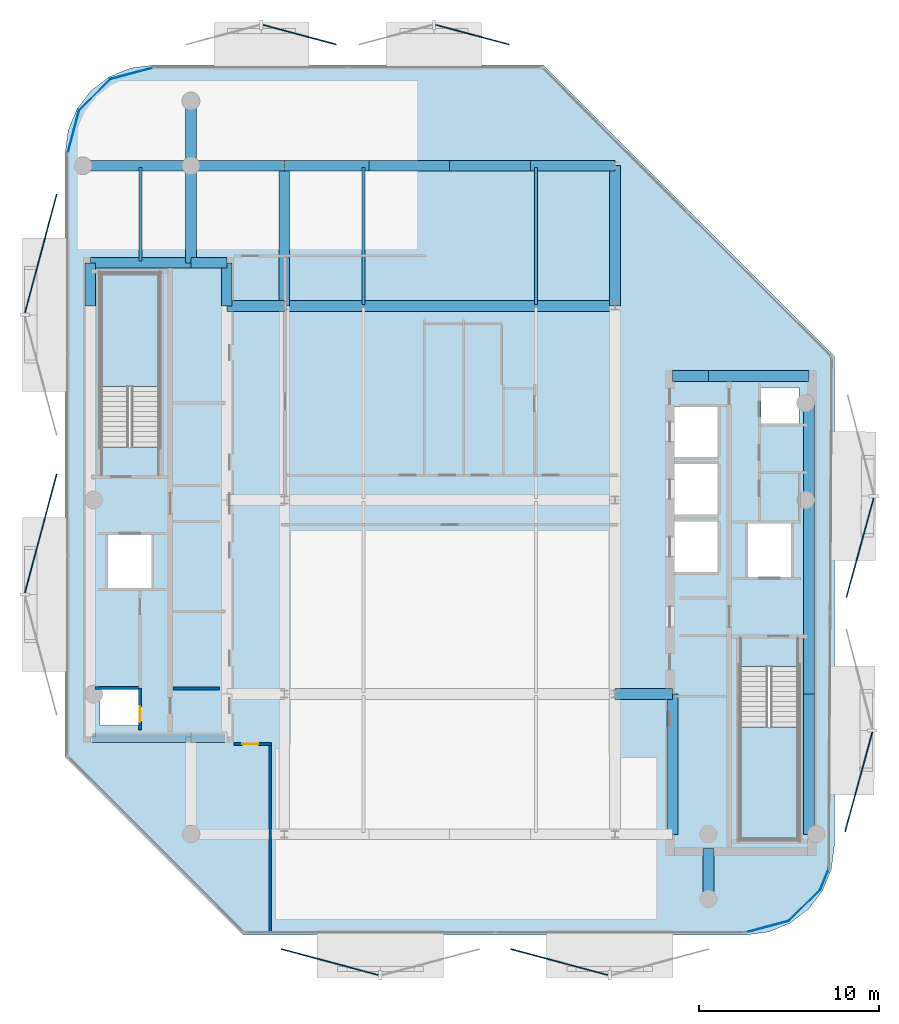
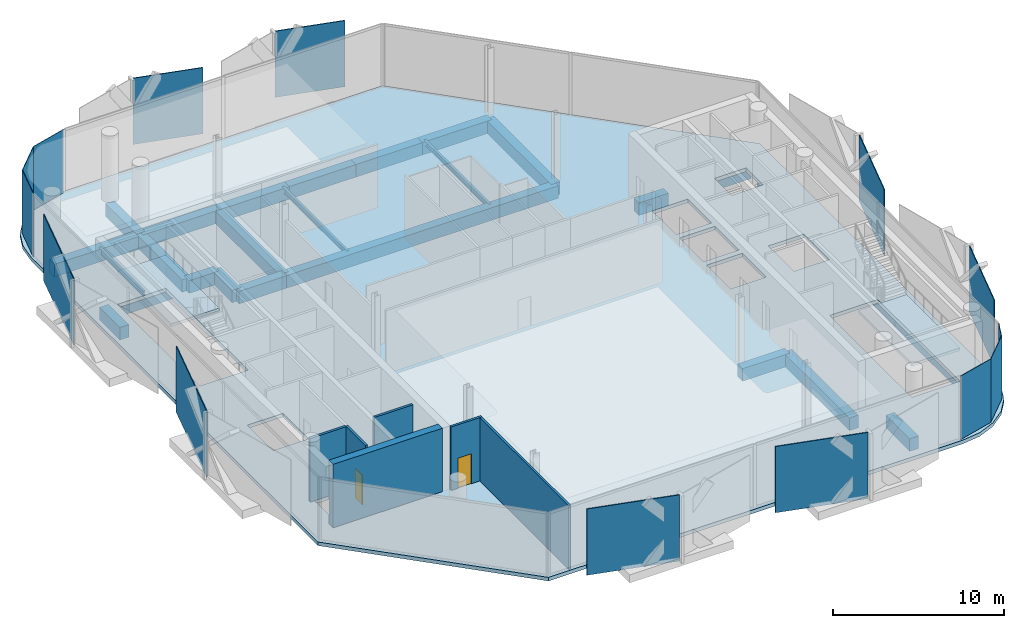
# One storey, part 3 of 15: 27 beams, 14 plates, 6 walls, 3 slabs, 2 doors, 2 openings, 2 elements without a shape of their own.
"""IFC4 building model written with IfcOpenShell, lengths in metres."""

from ifc_helpers import new_model, si_unit, direction, frame, frame_2d, origin, origin_2d, place, context, subcontext, project, spatial, polyline, rectangle, i_section, outline, extrude, material, layer, layer_set, material_profile, profile_set, type_object, element, fill, aggregate, save


model = new_model("IFC4")

# Units and contexts
model_context = context("Model", 3, precision=1e-05, world=origin(), true_north=direction((0.0, 1.0)))
body_context = subcontext(model_context, "Body", "Model", "MODEL_VIEW")
ifc_project = project(units=[si_unit("LENGTHUNIT", "METRE"), si_unit("AREAUNIT", "SQUARE_METRE"), si_unit("VOLUMEUNIT", "CUBIC_METRE"), si_unit("PLANEANGLEUNIT", "RADIAN"), si_unit("MASSUNIT", "GRAM", prefix="KILO")], contexts=[model_context])

# Site, building, storey
site_placement = place(None, origin())
site = spatial("IfcSite", under=ifc_project, at=site_placement, CompositionType="ELEMENT")
building_placement = place(site_placement, origin())
building = spatial("IfcBuilding", under=site, at=building_placement, Name="Khairoan Windgate Tower", CompositionType="ELEMENT")
storey_placement = place(building_placement, frame((0.0, 0.0, 315.60009765625)))
storey = spatial("IfcBuildingStorey", under=building, at=storey_placement, Name="L76", CompositionType="ELEMENT", Elevation=315.60009765625)

# Beams
ifc_material_1 = material(Name="Concrete C50/60", Category="concrete")
ifc_material_profile_1 = material_profile(ifc_material_1, rectangle(XDim=0.60009765625, YDim=0.89990234375, at=origin_2d()))
ifc_profile_set_1 = profile_set([ifc_material_profile_1], Name="Concrete C50/60")
beam_type_1 = type_object("IfcBeamType", Name="Beam B-RC1 RC600x900", PredefinedType="BEAM", material=ifc_profile_set_1)
beam_1_placement = place(storey_placement, frame((9.199951171875, -10.800048828125, -0.710205078125), z_axis=(1.0, 0.0, 0.0), x_axis=(0.0, 1.0, 0.0)))
element("IfcBeam", 1, at=beam_1_placement, inside=storey, type_object=beam_type_1, Name="L76 E-W Primary Girder 11", PredefinedType="BEAM", context=body_context, shape_type="SweptSolid", body=[
    extrude(rectangle(XDim=0.60009765625, YDim=0.89990234375, at=origin_2d()), origin(), (0.0, 0.0, 1.0), 3.199951171875),
])
beam_2_placement = place(storey_placement, frame((12.39990234375, 6.89990234375, -0.710205078125), z_axis=(1.0, 0.0, 0.0), x_axis=(0.0, 1.0, 0.0)))
element("IfcBeam", 2, at=beam_2_placement, inside=storey, type_object=beam_type_1, Name="L76 E-W Primary Girder 14", PredefinedType="BEAM", context=body_context, shape_type="SweptSolid", body=[
    extrude(rectangle(XDim=0.60009765625, YDim=0.89990234375, at=origin_2d()), origin(), (0.0, 0.0, 1.0), 2.0),
])
beam_3_placement = place(storey_placement, frame((14.39990234375, 6.89990234375, -0.710205078125), z_axis=(1.0, 0.0, 0.0), x_axis=(0.0, 1.0, 0.0)))
element("IfcBeam", 3, at=beam_3_placement, inside=storey, type_object=beam_type_1, Name="L76 E-W Primary Girder 15", PredefinedType="BEAM", context=body_context, shape_type="SweptSolid", body=[
    extrude(rectangle(XDim=0.60009765625, YDim=0.89990234375, at=origin_2d()), origin(), (0.0, 0.0, 1.0), 5.60009765625),
])
beam_4_placement = place(storey_placement, frame((-12.39990234375, 10.800048828125, -0.710205078125), z_axis=(1.0, 0.0, 0.0), x_axis=(0.0, 1.0, 0.0)))
element("IfcBeam", 4, at=beam_4_placement, inside=storey, type_object=beam_type_1, Name="L76 E-W Primary Girder 16", PredefinedType="BEAM", context=body_context, shape_type="SweptSolid", body=[
    extrude(rectangle(XDim=0.60009765625, YDim=0.89990234375, at=origin_2d()), origin(), (0.0, 0.0, 1.0), 3.199951171875),
])
beam_5_placement = place(storey_placement, frame((-9.199951171875, 10.800048828125, -0.710205078125), z_axis=(1.0, 0.0, 0.0), x_axis=(0.0, 1.0, 0.0)))
element("IfcBeam", 5, at=beam_5_placement, inside=storey, type_object=beam_type_1, Name="L76 E-W Primary Girder 17", PredefinedType="BEAM", context=body_context, shape_type="SweptSolid", body=[
    extrude(rectangle(XDim=0.60009765625, YDim=0.89990234375, at=origin_2d()), origin(), (0.0, 0.0, 1.0), 18.39990234375),
])
beam_6_placement = place(storey_placement, frame((-20.0, 13.199951171875, -0.710205078125), z_axis=(1.0, 0.0, 0.0), x_axis=(0.0, 1.0, 0.0)))
element("IfcBeam", 6, at=beam_6_placement, inside=storey, type_object=beam_type_1, Name="L76 E-W Primary Girder 18", PredefinedType="BEAM", context=body_context, shape_type="SweptSolid", body=[
    extrude(rectangle(XDim=0.60009765625, YDim=0.89990234375, at=origin_2d()), origin(), (0.0, 0.0, 1.0), 5.60009765625),
])
beam_7_placement = place(storey_placement, frame((-14.39990234375, 13.199951171875, -0.710205078125), z_axis=(1.0, 0.0, 0.0), x_axis=(0.0, 1.0, 0.0)))
element("IfcBeam", 7, at=beam_7_placement, inside=storey, type_object=beam_type_1, Name="L76 E-W Primary Girder 19", PredefinedType="BEAM", context=body_context, shape_type="SweptSolid", body=[
    extrude(rectangle(XDim=0.60009765625, YDim=0.89990234375, at=origin_2d()), origin(), (0.0, 0.0, 1.0), 2.0),
])
beam_8_placement = place(storey_placement, frame((-20.39990234375, 18.60009765625, -0.710205078125), z_axis=(1.0, 0.0, 0.0), x_axis=(0.0, 1.0, 0.0)))
element("IfcBeam", 8, at=beam_8_placement, inside=storey, type_object=beam_type_1, Name="L76 E-W Primary Girder 20", PredefinedType="BEAM", context=body_context, shape_type="SweptSolid", body=[
    extrude(rectangle(XDim=0.60009765625, YDim=0.89990234375, at=origin_2d()), origin(), (0.0, 0.0, 1.0), 6.0),
])
beam_9_placement = place(storey_placement, frame((-14.39990234375, 18.60009765625, -0.710205078125), z_axis=(1.0, 0.0, 0.0), x_axis=(0.0, 1.0, 0.0)))
element("IfcBeam", 9, at=beam_9_placement, inside=storey, type_object=beam_type_1, Name="L76 E-W Primary Girder 21", PredefinedType="BEAM", context=body_context, shape_type="SweptSolid", body=[
    extrude(rectangle(XDim=0.60009765625, YDim=0.89990234375, at=origin_2d()), origin(), (0.0, 0.0, 1.0), 5.199951171875),
])
beam_10_placement = place(storey_placement, frame((-9.199951171875, 18.60009765625, -0.710205078125), z_axis=(1.0, 0.0, 0.0), x_axis=(0.0, 1.0, 0.0)))
element("IfcBeam", 10, at=beam_10_placement, inside=storey, type_object=beam_type_1, Name="L76 E-W Primary Girder 22", PredefinedType="BEAM", context=body_context, shape_type="SweptSolid", body=[
    extrude(rectangle(XDim=0.60009765625, YDim=0.89990234375, at=origin_2d()), origin(), (0.0, 0.0, 1.0), 4.699951171875),
])
for number, where, z_axis, x_axis, name in (
    (11, (-4.5, 18.60009765625, -0.710205078125), (1.0, 0.0, 0.0), (0.0, 1.0, 0.0), "L76 E-W Primary Girder 23"),
    (12, (0.0, 18.60009765625, -0.710205078125), (1.0, 0.0, 0.0), (0.0, 1.0, 0.0), "L76 E-W Primary Girder 24"),
):
    element("IfcBeam", number, at=place(storey_placement, frame(where, z_axis=z_axis, x_axis=x_axis)), inside=storey, type_object=beam_type_1, Name=name, PredefinedType="BEAM", context=body_context, shape_type="SweptSolid", body=[
        extrude(rectangle(XDim=0.60009765625, YDim=0.89990234375, at=origin_2d()), origin(), (0.0, 0.0, 1.0), 4.5),
    ])
beam_11_placement = place(storey_placement, frame((4.5, 18.60009765625, -0.710205078125), z_axis=(1.0, 0.0, 0.0), x_axis=(0.0, 1.0, 0.0)))
element("IfcBeam", 13, at=beam_11_placement, inside=storey, type_object=beam_type_1, Name="L76 E-W Primary Girder 25", PredefinedType="BEAM", context=body_context, shape_type="SweptSolid", body=[
    extrude(rectangle(XDim=0.60009765625, YDim=0.89990234375, at=origin_2d()), origin(), (0.0, 0.0, 1.0), 4.699951171875),
])
beam_12_placement = place(storey_placement, frame((-20.0, 10.800048828125, -0.710205078125), z_axis=(0.0, 1.0, 0.0), x_axis=(-1.0, 0.0, 0.0)))
element("IfcBeam", 14, at=beam_12_placement, inside=storey, type_object=beam_type_1, Name="L76 N-S Primary Beam 29", PredefinedType="BEAM", context=body_context, shape_type="SweptSolid", body=[
    extrude(rectangle(XDim=0.60009765625, YDim=0.89990234375, at=origin_2d()), origin(), (0.0, 0.0, 1.0), 2.39990234375),
])
beam_13_placement = place(storey_placement, frame((-14.39990234375, 13.199951171875, -0.710205078125), z_axis=(0.0, 1.0, 0.0), x_axis=(-1.0, 0.0, 0.0)))
element("IfcBeam", 15, at=beam_13_placement, inside=storey, type_object=beam_type_1, Name="L76 N-S Primary Beam 31", PredefinedType="BEAM", context=body_context, shape_type="SweptSolid", body=[
    extrude(rectangle(XDim=0.60009765625, YDim=0.89990234375, at=origin_2d()), origin(), (0.0, 0.0, 1.0), 5.400146484375),
])
beam_14_placement = place(storey_placement, frame((-14.39990234375, 18.60009765625, -0.710205078125), z_axis=(0.0, 1.0, 0.0), x_axis=(-1.0, 0.0, 0.0)))
element("IfcBeam", 16, at=beam_14_placement, inside=storey, type_object=beam_type_1, Name="L76 N-S Primary Beam 32", PredefinedType="BEAM", context=body_context, shape_type="SweptSolid", body=[
    extrude(rectangle(XDim=0.60009765625, YDim=0.89990234375, at=origin_2d()), origin(), (0.0, 0.0, 1.0), 3.599853515625),
])
beam_15_placement = place(storey_placement, frame((-12.39990234375, 10.800048828125, -0.710205078125), z_axis=(0.0, 1.0, 0.0), x_axis=(-1.0, 0.0, 0.0)))
element("IfcBeam", 17, at=beam_15_placement, inside=storey, type_object=beam_type_1, Name="L76 N-S Primary Beam 36", PredefinedType="BEAM", context=body_context, shape_type="SweptSolid", body=[
    extrude(rectangle(XDim=0.60009765625, YDim=0.89990234375, at=origin_2d()), origin(), (0.0, 0.0, 1.0), 2.39990234375),
])
for number, where, z_axis, x_axis, name in (
    (18, (-9.199951171875, 10.800048828125, -0.710205078125), (0.0, 1.0, 0.0), (-1.0, 0.0, 0.0), "L76 N-S Primary Beam 40"),
    (19, (9.199951171875, 10.800048828125, -0.710205078125), (0.0, 1.0, 0.0), (-1.0, 0.0, 0.0), "L76 N-S Primary Beam 44"),
    (20, (12.39990234375, -18.60009765625, -0.710205078125), (0.0, 1.0, 0.0), (-1.0, 0.0, 0.0), "L76 N-S Primary Beam 45"),
):
    element("IfcBeam", number, at=place(storey_placement, frame(where, z_axis=z_axis, x_axis=x_axis)), inside=storey, type_object=beam_type_1, Name=name, PredefinedType="BEAM", context=body_context, shape_type="SweptSolid", body=[
        extrude(rectangle(XDim=0.60009765625, YDim=0.89990234375, at=origin_2d()), origin(), (0.0, 0.0, 1.0), 7.800048828125),
    ])
beam_16_placement = place(storey_placement, frame((14.39990234375, -22.199951171875, -0.710205078125), z_axis=(0.0, 1.0, 0.0), x_axis=(-1.0, 0.0, 0.0)))
element("IfcBeam", 21, at=beam_16_placement, inside=storey, type_object=beam_type_1, Name="L76 N-S Primary Beam 46", PredefinedType="BEAM", context=body_context, shape_type="SweptSolid", body=[
    extrude(rectangle(XDim=0.60009765625, YDim=0.89990234375, at=origin_2d()), origin(), (0.0, 0.0, 1.0), 2.800048828125),
])
beam_17_placement = place(storey_placement, frame((20.0, -18.60009765625, -0.710205078125), z_axis=(0.0, 1.0, 0.0), x_axis=(-1.0, 0.0, 0.0)))
element("IfcBeam", 22, at=beam_17_placement, inside=storey, type_object=beam_type_1, Name="L76 N-S Primary Beam 47", PredefinedType="BEAM", context=body_context, shape_type="SweptSolid", body=[
    extrude(rectangle(XDim=0.60009765625, YDim=0.89990234375, at=origin_2d()), origin(), (0.0, 0.0, 1.0), 7.800048828125),
])
beam_18_placement = place(storey_placement, frame((20.0, -10.800048828125, -0.710205078125), z_axis=(0.0, 1.0, 0.0), x_axis=(-1.0, 0.0, 0.0)))
element("IfcBeam", 23, at=beam_18_placement, inside=storey, type_object=beam_type_1, Name="L76 N-S Primary Beam 48", PredefinedType="BEAM", context=body_context, shape_type="SweptSolid", body=[
    extrude(rectangle(XDim=0.60009765625, YDim=0.89990234375, at=origin_2d()), origin(), (0.0, 0.0, 1.0), 10.800048828125),
])
beam_19_placement = place(storey_placement, frame((20.0, 0.0, -0.710205078125), z_axis=(0.0, 1.0, 0.0), x_axis=(-1.0, 0.0, 0.0)))
element("IfcBeam", 24, at=beam_19_placement, inside=storey, type_object=beam_type_1, Name="L76 N-S Primary Beam 49", PredefinedType="BEAM", context=body_context, shape_type="SweptSolid", body=[
    extrude(rectangle(XDim=0.60009765625, YDim=0.89990234375, at=origin_2d()), origin(), (0.0, 0.0, 1.0), 5.39990234375),
])
ifc_material_2 = material(Name="Steel S355", Category="steel")
ifc_material_profile_2 = material_profile(ifc_material_2, i_section(OverallWidth=0.175048828125, OverallDepth=0.35009765625, WebThickness=0.007080078125, FlangeThickness=0.010986328125, FilletRadius=0.013916015625, at=origin_2d()))
ifc_profile_set_2 = profile_set([ifc_material_profile_2], Name="Steel S355")
beam_type_2 = type_object("IfcBeamType", Name="Beam J-S5 H350x175x7x11", PredefinedType="JOIST", material=ifc_profile_set_2)
beam_20_placement = place(storey_placement, frame((-17.199951171875, 13.2900390625, -0.43505859375), z_axis=(0.0, 1.0, 0.0), x_axis=(-1.0, 0.0, 0.0)))
element("IfcBeam", 25, at=beam_20_placement, inside=storey, type_object=beam_type_2, Name="L76 Secondary Floor Joist 01", PredefinedType="JOIST", context=body_context, shape_type="SweptSolid", body=[
    extrude(i_section(OverallWidth=0.175048828125, OverallDepth=0.35009765625, WebThickness=0.007080078125, FlangeThickness=0.010986328125, FilletRadius=0.013916015625, at=origin_2d()), origin(), (0.0, 0.0, 1.0), 5.219970703125),
])
for number, where, z_axis, x_axis, name in (
    (26, (-4.800048828125, 10.889892578125, -0.43505859375), (0.0, 1.0, 0.0), (-1.0, 0.0, 0.0), "L76 Secondary Floor Joist 05"),
    (27, (4.800048828125, 10.889892578125, -0.43505859375), (0.0, 1.0, 0.0), (-1.0, 0.0, 0.0), "L76 Secondary Floor Joist 09"),
):
    element("IfcBeam", number, at=place(storey_placement, frame(where, z_axis=z_axis, x_axis=x_axis)), inside=storey, type_object=beam_type_2, Name=name, PredefinedType="JOIST", context=body_context, shape_type="SweptSolid", body=[
        extrude(i_section(OverallWidth=0.175048828125, OverallDepth=0.35009765625, WebThickness=0.007080078125, FlangeThickness=0.010986328125, FilletRadius=0.013916015625, at=origin_2d()), origin(), (0.0, 0.0, 1.0), 7.6201171875),
    ])

# Plates
ifc_material_3 = material(Name="Low-E Solar Control Laminated Glass", Category="glass")
ifc_layer_1 = layer(ifc_material_3, 0.030029296875, Name="Low-E Solar Control Laminated Glass")
ifc_layer_set_1 = layer_set([ifc_layer_1], Name="Low-E Solar Control Laminated Glass")
plate_type_1 = type_object("IfcPlateType", Name="Aerodynamic Wind-Corner Curved Glazing Plate", PredefinedType="USERDEFINED", material=ifc_layer_set_1)
plate_1_placement = place(storey_placement, frame((-20.940673828125, 20.485107421875, 0.0), z_axis=(0.0, 0.0, 1.0), x_axis=(0.258313252067, 0.966061211211, 0.0)))
element("IfcPlate", 28, at=plate_1_placement, inside=storey, type_object=plate_type_1, Name="L76 Aerodynamic Wind-Corner Curved Glazing Panel 4", ObjectType="GLAZING PANEL", PredefinedType="USERDEFINED", context=body_context, shape_type="SweptSolid", body=[
    extrude(rectangle(XDim=2.512451171875, YDim=0.035888671875, at=origin_2d()), origin(), (0.0, 0.0, 1.0), 4.5400390625),
])
plate_2_placement = place(storey_placement, frame((-19.750244140625, 22.55029296875, 0.0), z_axis=(0.0, 0.0, 1.0), x_axis=(0.707106781187, 0.707106781187, 0.0)))
element("IfcPlate", 29, at=plate_2_placement, inside=storey, type_object=plate_type_1, Name="L76 Aerodynamic Wind-Corner Curved Glazing Panel 5", ObjectType="GLAZING PANEL", PredefinedType="USERDEFINED", context=body_context, shape_type="SweptSolid", body=[
    extrude(rectangle(XDim=2.50341796875, YDim=0.035888671875, at=origin_2d()), origin(), (0.0, 0.0, 1.0), 4.5400390625),
])
plate_3_placement = place(storey_placement, frame((-17.68505859375, 23.740478515625, 0.0), z_axis=(0.0, 0.0, 1.0), x_axis=(0.966061211211, 0.258313252067, 0.0)))
element("IfcPlate", 30, at=plate_3_placement, inside=storey, type_object=plate_type_1, Name="L76 Aerodynamic Wind-Corner Curved Glazing Panel 6", ObjectType="GLAZING PANEL", PredefinedType="USERDEFINED", context=body_context, shape_type="SweptSolid", body=[
    extrude(rectangle(XDim=2.512451171875, YDim=0.035888671875, at=origin_2d()), origin(), (0.0, 0.0, 1.0), 4.5400390625),
])
plate_4_placement = place(storey_placement, frame((20.85888671875, -21.105712890625, 0.0), z_axis=(0.0, 0.0, 1.0), x_axis=(-0.382683432365, -0.923879532511, 0.0)))
element("IfcPlate", 31, at=plate_4_placement, inside=storey, type_object=plate_type_1, Name="L76 Aerodynamic Wind-Corner Curved Glazing Panel 10", ObjectType="GLAZING PANEL", PredefinedType="USERDEFINED", context=body_context, shape_type="SweptSolid", body=[
    extrude(rectangle(XDim=1.2822265625, YDim=0.035888671875, at=origin_2d()), origin(), (0.0, 0.0, 1.0), 4.5400390625),
])
plate_5_placement = place(storey_placement, frame((19.750244140625, -22.55029296875, 0.0), z_axis=(0.0, 0.0, 1.0), x_axis=(-0.707106781187, -0.707106781187, 0.0)))
element("IfcPlate", 32, at=plate_5_placement, inside=storey, type_object=plate_type_1, Name="L76 Aerodynamic Wind-Corner Curved Glazing Panel 11", ObjectType="GLAZING PANEL", PredefinedType="USERDEFINED", context=body_context, shape_type="SweptSolid", body=[
    extrude(rectangle(XDim=2.50341796875, YDim=0.035888671875, at=origin_2d()), origin(), (0.0, 0.0, 1.0), 4.5400390625),
])
plate_6_placement = place(storey_placement, frame((17.68505859375, -23.740478515625, 0.0), z_axis=(0.0, 0.0, 1.0), x_axis=(-0.966061211211, -0.258313252067, 0.0)))
element("IfcPlate", 33, at=plate_6_placement, inside=storey, type_object=plate_type_1, Name="L76 Aerodynamic Wind-Corner Curved Glazing Panel 12", ObjectType="GLAZING PANEL", PredefinedType="USERDEFINED", context=body_context, shape_type="SweptSolid", body=[
    extrude(rectangle(XDim=2.512451171875, YDim=0.035888671875, at=origin_2d()), origin(), (0.0, 0.0, 1.0), 4.5400390625),
])
ifc_material_4 = material(Name="Anodised Bronze Aluminium 6063-T6", Category="aluminium")
ifc_layer_2 = layer(ifc_material_4, 0.054931640625, Name="Anodised Bronze Aluminium 6063-T6")
ifc_layer_set_2 = layer_set([ifc_layer_2], Name="Anodised Bronze Aluminium 6063-T6")
plate_type_2 = type_object("IfcPlateType", Name="Perforated Bronze Solar Screen Upper Panel BSP-2", PredefinedType="USERDEFINED", material=ifc_layer_set_2)
for number, where, z_axis, x_axis, name in (
    (34, (6.104736328125, -25.713134765625, -0.10009765625), (0.0, 0.0, 1.0), (-0.965925826289, 0.258819045103, 0.0), "L76 Perforated Bronze Solar Screen Panel 534R"),
    (35, (-6.66162109375, -25.713134765625, -0.10009765625), (0.0, 0.0, 1.0), (-0.965925826289, 0.258819045103, 0.0), "L76 Perforated Bronze Solar Screen Panel 535R"),
):
    element("IfcPlate", number, at=place(storey_placement, frame(where, z_axis=z_axis, x_axis=x_axis)), inside=storey, type_object=plate_type_2, Name=name, ObjectType="SCREEN", PredefinedType="USERDEFINED", context=body_context, shape_type="SweptSolid", body=[
        extrude(rectangle(XDim=5.616943359375, YDim=0.054931640625, at=origin_2d()), origin(), (0.0, 0.0, 1.0), 4.739990234375),
    ])
for number, where, z_axis, x_axis, name in (
    (36, (-22.753662109375, -1.861083984375, -0.10009765625), (0.0, 0.0, 1.0), (0.258819045103, 0.965925826289, 0.0), "L76 Perforated Bronze Solar Screen Panel 536R"),
    (37, (-22.753662109375, 13.705322265625, -0.10009765625), (0.0, 0.0, 1.0), (0.258819045103, 0.965925826289, 0.0), "L76 Perforated Bronze Solar Screen Panel 537R"),
):
    element("IfcPlate", number, at=place(storey_placement, frame(where, z_axis=z_axis, x_axis=x_axis)), inside=storey, type_object=plate_type_2, Name=name, ObjectType="SCREEN", PredefinedType="USERDEFINED", context=body_context, shape_type="SweptSolid", body=[
        extrude(rectangle(XDim=6.84912109375, YDim=0.054931640625, at=origin_2d()), origin(), (0.0, 0.0, 1.0), 4.739990234375),
    ])
for number, where, z_axis, x_axis, name in (
    (38, (-8.34912109375, 25.892578125, -0.10009765625), (0.0, 0.0, 1.0), (0.965925826289, -0.258819045103, 0.0), "L76 Perforated Bronze Solar Screen Panel 538R"),
    (39, (1.26708984375, 25.892578125, -0.10009765625), (0.0, 0.0, 1.0), (0.965925826289, -0.258819045103, 0.0), "L76 Perforated Bronze Solar Screen Panel 539R"),
):
    element("IfcPlate", number, at=place(storey_placement, frame(where, z_axis=z_axis, x_axis=x_axis)), inside=storey, type_object=plate_type_2, Name=name, ObjectType="SCREEN", PredefinedType="USERDEFINED", context=body_context, shape_type="SweptSolid", body=[
        extrude(rectangle(XDim=4.23095703125, YDim=0.054931640625, at=origin_2d()), origin(), (0.0, 0.0, 1.0), 4.739990234375),
    ])
for number, where, z_axis, x_axis, name in (
    (40, (22.8369140625, -2.64599609375, -0.10009765625), (0.0, 0.0, 1.0), (-0.264378054854, -0.964419122639, 0.0), "L76 Perforated Bronze Solar Screen Panel 540R"),
    (41, (22.76220703125, -15.682861328125, -0.10009765625), (0.0, 0.0, 1.0), (-0.264378054854, -0.964419122639, 0.0), "L76 Perforated Bronze Solar Screen Panel 541R"),
):
    element("IfcPlate", number, at=place(storey_placement, frame(where, z_axis=z_axis, x_axis=x_axis)), inside=storey, type_object=plate_type_2, Name=name, ObjectType="SCREEN", PredefinedType="USERDEFINED", context=body_context, shape_type="SweptSolid", body=[
        extrude(rectangle(XDim=5.736083984375, YDim=0.054931640625, at=origin_2d()), origin(), (0.0, 0.0, 1.0), 4.739990234375),
    ])

# Stair, slab
ifc_material_5 = material(Name="Concrete C40/50", Category="concrete")
stair_type = type_object("IfcStairType", Name="Tower Core Dog-Leg Stair ST-T1 1560mm", PredefinedType="HALF_TURN_STAIR", material=ifc_material_5)
stair_1_placement = place(storey_placement, origin())
stair_1 = element("IfcStair", 42, at=stair_1_placement, inside=storey, type_object=stair_type, Name="L76 Stair ST1", PredefinedType="HALF_TURN_STAIR")
ifc_material_6 = material(Name="Concrete C40/50", Category="concrete")
ifc_layer_3 = layer(ifc_material_6, 0.199951171875, Name="Concrete C40/50")
ifc_layer_set_3 = layer_set([ifc_layer_3], Name="Concrete C40/50")
slab_type_1 = type_object("IfcSlabType", Name="Reinforced Concrete Stair Landing Slab STL-200", PredefinedType="LANDING", material=ifc_layer_set_3)
slab_1_placement = place(storey_placement, frame((0.0, 0.0, 2.199951171875)))
slab_1 = element("IfcSlab", 43, at=slab_1_placement, type_object=slab_type_1, Name="ST1 landing 1", PredefinedType="LANDING", context=body_context, shape_type="SweptSolid", body=[
    extrude(outline(polyline([(16.14990234375, -12.6201171875), (16.14990234375, -18.89990234375), (19.419921875, -18.89990234375), (19.419921875, -12.6201171875), (16.14990234375, -12.6201171875)])), origin(), (0.0, 0.0, 1.0), 0.199951171875),
])
aggregate(stair_1, [slab_1])

stair_2_placement = place(storey_placement, origin())
stair_2 = element("IfcStair", 44, at=stair_2_placement, inside=storey, type_object=stair_type, Name="L76 Stair ST2", PredefinedType="HALF_TURN_STAIR")
slab_2_placement = place(storey_placement, frame((0.0, 0.0, 2.199951171875)))
slab_2 = element("IfcSlab", 45, at=slab_2_placement, type_object=slab_type_1, Name="ST2 landing 1", PredefinedType="LANDING", context=body_context, shape_type="SweptSolid", body=[
    extrude(outline(polyline([(-16.14990234375, 6.320068359375), (-16.14990234375, 12.60009765625), (-19.419921875, 12.60009765625), (-19.419921875, 6.320068359375), (-16.14990234375, 6.320068359375)])), origin(), (0.0, 0.0, 1.0), 0.199951171875),
])
aggregate(stair_2, [slab_2])

# Slab
ifc_material_7 = material(Name="Concrete C40/50", Category="concrete")
ifc_layer_4 = layer(ifc_material_7, 0.260009765625, Name="Concrete C40/50")
ifc_layer_set_4 = layer_set([ifc_layer_4], Name="Concrete C40/50")
slab_type_2 = type_object("IfcSlabType", Name="Tower Composite Floor Slab FS2 260mm", PredefinedType="FLOOR", material=ifc_layer_set_4)
slab_3_placement = place(storey_placement, frame((0.0, 0.0, -0.260009765625)))
element("IfcSlab", 46, at=slab_3_placement, inside=storey, type_object=slab_type_2, Name="L76 Structural Floor Slab", PredefinedType="FLOOR", context=body_context, shape_type="SweptSolid", body=[
    extrude(outline(polyline([(16.5, -24.199951171875), (17.768310546875, -24.032958984375), (18.949951171875, -23.54345703125), (19.96484375, -22.764892578125), (20.743408203125, -21.75), (21.23291015625, -20.568115234375), (21.39990234375, -19.300048828125), (21.39990234375, 8.0), (5.199951171875, 24.199951171875), (-16.5, 24.199951171875), (-17.768310546875, 24.032958984375), (-18.949951171875, 23.54345703125), (-19.96484375, 22.764892578125), (-20.743408203125, 21.75), (-21.23291015625, 20.568115234375), (-21.39990234375, 19.300048828125), (-21.39990234375, -14.300048828125), (-11.5, -24.199951171875), (16.5, -24.199951171875)]), holes=[polyline([(16.14990234375, -9.260009765625), (16.14990234375, -18.89990234375), (19.419921875, -18.89990234375), (19.419921875, -9.260009765625), (16.14990234375, -9.260009765625)]), polyline([(-16.14990234375, 2.9599609375), (-16.14990234375, 12.60009765625), (-19.419921875, 12.60009765625), (-19.419921875, 2.9599609375), (-16.14990234375, 2.9599609375)]), polyline([(12.5, 2.39990234375), (14.89990234375, 2.39990234375), (14.89990234375, 5.199951171875), (12.5, 5.199951171875), (12.5, 2.39990234375)]), polyline([(12.5, -0.800048828125), (14.89990234375, -0.800048828125), (14.89990234375, 2.0), (12.5, 2.0), (12.5, -0.800048828125)]), polyline([(12.5, -4.0), (14.89990234375, -4.0), (14.89990234375, -1.199951171875), (12.5, -1.199951171875), (12.5, -4.0)]), polyline([(16.60009765625, -4.300048828125), (19.0, -4.300048828125), (19.0, -1.300048828125), (16.60009765625, -1.300048828125), (16.60009765625, -4.300048828125)]), polyline([(-19.0, -4.89990234375), (-16.60009765625, -4.89990234375), (-16.60009765625, -1.89990234375), (-19.0, -1.89990234375), (-19.0, -4.89990234375)]), polyline([(-19.449951171875, -12.550048828125), (-17.31005859375, -12.550048828125), (-17.31005859375, -10.550048828125), (-19.449951171875, -10.550048828125), (-19.449951171875, -12.550048828125)]), polyline([(17.31005859375, 4.25), (19.449951171875, 4.25), (19.449951171875, 6.25), (17.31005859375, 6.25), (17.31005859375, 4.25)])]), origin(), (0.0, 0.0, 1.0), 0.260009765625),
])

# Walls
ifc_material_8 = material(Name="Concrete C40/50", Category="concrete")
ifc_layer_5 = layer(ifc_material_8, 0.159912109375, Name="Concrete C40/50")
ifc_layer_set_5 = layer_set([ifc_layer_5], Name="Concrete C40/50")
wall_type_1 = type_object("IfcWallType", Name="Core and Hoistway Enclosure Wall", PredefinedType="STANDARD", material=ifc_layer_set_5)
wall_1_placement = place(storey_placement, frame((-15.39990234375, -10.47998046875, 0.0), z_axis=(0.0, 0.0, 1.0), x_axis=(1.0, 0.0, 0.0)))
element("IfcWall", 47, at=wall_1_placement, inside=storey, type_object=wall_type_1, Name="L76 Core Shaft Wall SW-WSV-L76", PredefinedType="STANDARD", context=body_context, shape_type="SweptSolid", body=[
    extrude(rectangle(XDim=2.599853515625, YDim=0.159912109375, at=frame_2d((1.2998046875, 0.0))), origin(), (0.0, 0.0, 1.0), 4.539794921875),
])
ifc_material_9 = material(Name="Acoustic Fire-Rated Gypsum Partition", Category="gypsum")
ifc_layer_6 = layer(ifc_material_9, 0.139892578125, Name="Acoustic Fire-Rated Gypsum Partition")
ifc_layer_set_6 = layer_set([ifc_layer_6], Name="Acoustic Fire-Rated Gypsum Partition")
wall_type_2 = type_object("IfcWallType", Name="Inter-Tenancy Compartment Wall", PredefinedType="PARTITIONING", material=ifc_layer_set_6)
wall_2_placement = place(storey_placement, frame((-9.989990234375, -24.054931640625, 0.0), z_axis=(0.0, 0.0, 1.0), x_axis=(0.0, 1.0, 0.0)))
element("IfcWall", 48, at=wall_2_placement, inside=storey, type_object=wall_type_2, Name="L76 Interior Partition 021", PredefinedType="PARTITIONING", context=body_context, shape_type="SweptSolid", body=[
    extrude(rectangle(XDim=10.39990234375, YDim=0.139892578125, at=frame_2d((5.199951171875, 0.0))), origin(), (0.0, 0.0, 1.0), 4.539794921875),
])

# Wall, opening, door
ifc_material_10 = material(Name="Concrete C40/50", Category="concrete")
ifc_layer_7 = layer(ifc_material_10, 0.159912109375, Name="Concrete C40/50")
ifc_layer_set_7 = layer_set([ifc_layer_7], Name="Concrete C40/50")
wall_type_3 = type_object("IfcWallType", Name="Plant and Refuge Compartment Wall", PredefinedType="PARTITIONING", material=ifc_layer_set_7)
wall_3_placement = place(storey_placement, frame((-17.22998046875, -12.7900390625, 0.0), z_axis=(0.0, 0.0, 1.0), x_axis=(0.0, 1.0, 0.0)))
wall_3 = element("IfcWall", 49, at=wall_3_placement, inside=storey, type_object=wall_type_3, Name="L76 Interior Partition 001", PredefinedType="PARTITIONING", context=body_context, shape_type="SweptSolid", body=[
    extrude(rectangle(XDim=2.320068359375, YDim=0.159912109375, at=frame_2d((1.16015625, 0.0))), origin(), (0.0, 0.0, 1.0), 4.539794921875),
])
opening_1_placement = place(wall_3_placement, frame((0.4599609375, 0.0, 0.0)))
opening_1 = element("IfcOpeningElement", 50, at=opening_1_placement, cuts=wall_3, Name="Opening FD-SRV", PredefinedType="OPENING", context=body_context, shape_type="SweptSolid", body=[
    extrude(rectangle(XDim=0.85009765625, YDim=2.10009765625, at=frame_2d((0.425048828125, 1.050048828125))), frame((0.0, 0.08984375, 0.0), z_axis=(0.0, -1.0, 0.0), x_axis=(1.0, 0.0, 0.0)), (0.0, 0.0, 1.0), 0.179931640625),
])
ifc_material_11 = material(Name="Steel S355", Category="steel")
door_type_1 = type_object("IfcDoorType", Name="Core Service and Riser Fire Door FD-SRV 850x2100", OperationType="NOTDEFINED", PredefinedType="DOOR", material=ifc_material_11)
door_1_placement = place(opening_1_placement, origin())
door_1 = element("IfcDoor", 51, at=door_1_placement, inside=storey, type_object=door_type_1, Name="L76 L76-04-L76-05 Door", OperationType="SINGLE_SWING_LEFT", OverallHeight=2.10009765625, OverallWidth=0.85009765625, PredefinedType="DOOR", context=body_context, shape_type="SweptSolid", body=[
    extrude(rectangle(XDim=0.85009765625, YDim=2.10009765625, at=frame_2d((0.425048828125, 1.050048828125))), frame((0.0, 0.02490234375, 0.0), z_axis=(0.0, -1.0, 0.0), x_axis=(1.0, 0.0, 0.0)), (0.0, 0.0, 1.0), 0.050048828125),
])
fill(opening_1, door_1)

# Wall
wall_4_placement = place(storey_placement, frame((-19.75, -10.469970703125, 0.0), z_axis=(0.0, 0.0, 1.0), x_axis=(1.0, 0.0, 0.0)))
element("IfcWall", 52, at=wall_4_placement, inside=storey, type_object=wall_type_3, Name="L76 Interior Partition 003", PredefinedType="PARTITIONING", context=body_context, shape_type="SweptSolid", body=[
    extrude(rectangle(XDim=2.43994140625, YDim=0.159912109375, at=frame_2d((1.219970703125, 0.0))), origin(), (0.0, 0.0, 1.0), 4.539794921875),
])

# Wall, opening, door
ifc_material_12 = material(Name="Acoustic Fire-Rated Gypsum Partition", Category="gypsum")
ifc_layer_8 = layer(ifc_material_12, 0.14990234375, Name="Acoustic Fire-Rated Gypsum Partition")
ifc_layer_set_8 = layer_set([ifc_layer_8], Name="Acoustic Fire-Rated Gypsum Partition")
wall_type_4 = type_object("IfcWallType", Name="Rated Corridor Partition Wall", PredefinedType="PARTITIONING", material=ifc_layer_set_8)
wall_5_placement = place(storey_placement, frame((-12.0, -13.580078125, 0.0), z_axis=(0.0, 0.0, 1.0), x_axis=(1.0, 0.0, 0.0)))
wall_5 = element("IfcWall", 53, at=wall_5_placement, inside=storey, type_object=wall_type_4, Name="L76 Interior Partition 014", PredefinedType="PARTITIONING", context=body_context, shape_type="SweptSolid", body=[
    extrude(rectangle(XDim=2.080078125, YDim=0.14990234375, at=frame_2d((1.0400390625, 0.0))), origin(), (0.0, 0.0, 1.0), 4.539794921875),
])
opening_2_placement = place(wall_5_placement, frame((0.4599609375, 0.0, 0.0)))
opening_2 = element("IfcOpeningElement", 54, at=opening_2_placement, cuts=wall_5, Name="Opening FD-ENT", PredefinedType="OPENING", context=body_context, shape_type="SweptSolid", body=[
    extrude(rectangle(XDim=0.89990234375, YDim=2.14990234375, at=frame_2d((0.449951171875, 1.074951171875))), frame((0.0, 0.0849609375, 0.0), z_axis=(0.0, -1.0, 0.0), x_axis=(1.0, 0.0, 0.0)), (0.0, 0.0, 1.0), 0.169921875),
])
ifc_material_13 = material(Name="Timber Fire-Rated Core", Category="wood")
door_type_2 = type_object("IfcDoorType", Name="Unit and Office Fire Entrance Door FD-ENT 900x2150", OperationType="NOTDEFINED", PredefinedType="DOOR", material=ifc_material_13)
door_2_placement = place(opening_2_placement, origin())
door_2 = element("IfcDoor", 55, at=door_2_placement, inside=storey, type_object=door_type_2, Name="L76 L76-27-L76-34 Door", OperationType="SINGLE_SWING_RIGHT", OverallHeight=2.14990234375, OverallWidth=0.89990234375, PredefinedType="DOOR", context=body_context, shape_type="SweptSolid", body=[
    extrude(rectangle(XDim=0.89990234375, YDim=2.14990234375, at=frame_2d((0.449951171875, 1.074951171875))), frame((0.0, 0.02490234375, 0.0), z_axis=(0.0, -1.0, 0.0), x_axis=(1.0, 0.0, 0.0)), (0.0, 0.0, 1.0), 0.050048828125),
])
fill(opening_2, door_2)

# Wall
ifc_material_14 = material(Name="Concrete C50/60", Category="concrete")
ifc_layer_9 = layer(ifc_material_14, 0.5, Name="Concrete C50/60")
ifc_layer_set_9 = layer_set([ifc_layer_9], Name="Concrete C50/60")
wall_type_5 = type_object("IfcWallType", Name="Shear Wall CW-W3 500mm", PredefinedType="SHEAR", material=ifc_layer_set_9)
wall_6_placement = place(storey_placement, frame((-19.89990234375, -13.25, 0.0), z_axis=(0.0, 0.0, 1.0), x_axis=(1.0, 0.0, 0.0)))
element("IfcWall", 56, at=wall_6_placement, inside=storey, type_object=wall_type_5, Name="W Core South Shear Wall L76", PredefinedType="SHEAR", context=body_context, shape_type="SweptSolid", body=[
    extrude(rectangle(XDim=7.39990234375, YDim=0.5, at=frame_2d((3.699951171875, 0.0))), origin(), (0.0, 0.0, 1.0), 4.539794921875),
])

save(model, "model.ifc")
